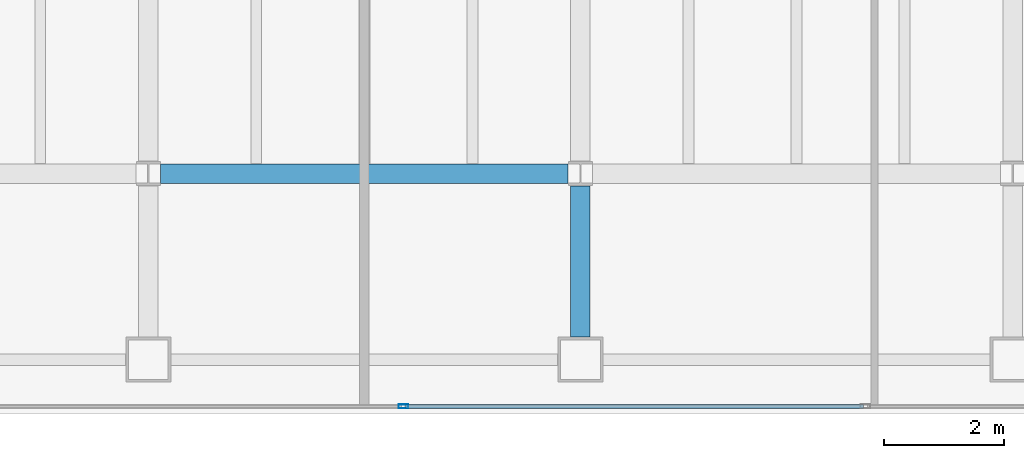
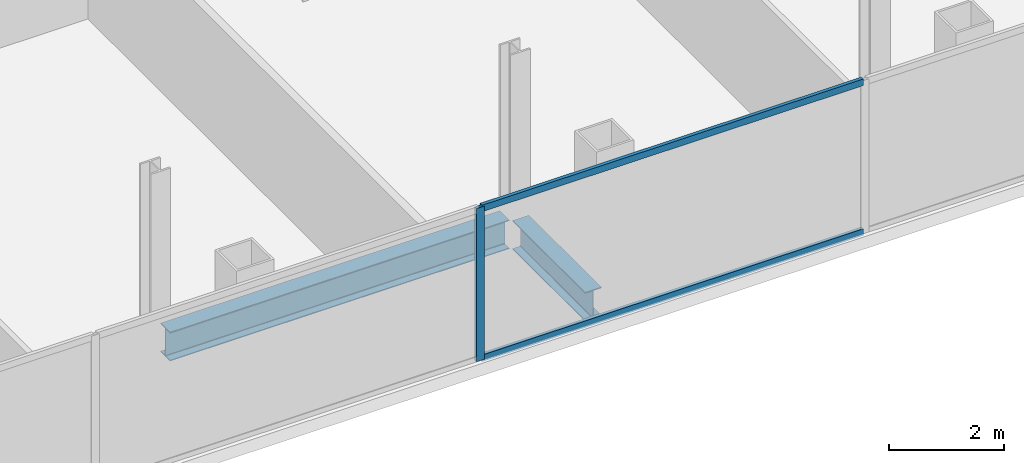
# One storey, part 6 of 23: 3 members, 2 beams, 1 element without a shape of its own.
"""IFC4 building model written with IfcOpenShell, lengths in metres."""

from ifc_helpers import new_model, si_unit, direction, frame, origin, origin_2d, place, context, subcontext, project, spatial, hollow_rectangle, i_section, extrude, material, material_profile, profile_set, type_object, element, aggregate, save


model = new_model("IFC4")

# Units and contexts
model_context = context("Model", 3, precision=1e-05, world=origin(), true_north=direction((0.0, 1.0)))
body_context = subcontext(model_context, "Body", "Model", "MODEL_VIEW")
ifc_project = project(units=[si_unit("LENGTHUNIT", "METRE"), si_unit("AREAUNIT", "SQUARE_METRE"), si_unit("VOLUMEUNIT", "CUBIC_METRE"), si_unit("PLANEANGLEUNIT", "RADIAN"), si_unit("MASSUNIT", "GRAM", prefix="KILO")], contexts=[model_context])

# Site, building, storey
site_placement = place(None, origin())
site = spatial("IfcSite", under=ifc_project, at=site_placement, CompositionType="ELEMENT")
building_placement = place(site_placement, origin())
building = spatial("IfcBuilding", under=site, at=building_placement, Name="Cobrela Telecom Tower", CompositionType="ELEMENT")
storey_placement = place(building_placement, frame((0.0, 0.0, 211.75)))
storey = spatial("IfcBuildingStorey", under=building, at=storey_placement, Name="L54", CompositionType="ELEMENT", Elevation=211.75)

# Beams
ifc_material_1 = material(Name="Steel ASTM A992 Grade 50", Category="steel")
ifc_material_profile_1 = material_profile(ifc_material_1, i_section(OverallWidth=0.324951171875, OverallDepth=0.612060546875, WebThickness=0.0126953125, FlangeThickness=0.01904296875, FilletRadius=0.014892578125, at=origin_2d()), Name="W24X104")
ifc_profile_set_1 = profile_set([ifc_material_profile_1], Name="Steel ASTM A992 Grade 50")
beam_type = type_object("IfcBeamType", Name="BM-GIRD-07", PredefinedType="USERDEFINED", material=ifc_profile_set_1)
beam_1_placement = place(storey_placement, frame((21.804443359375, 7.199951171875, -0.56591796875), z_axis=(1.0, 0.0, 0.0), x_axis=(0.0, 1.0, 0.0)))
element("IfcBeam", 1, at=beam_1_placement, inside=storey, type_object=beam_type, Name="L54 Primary Girder X08", ObjectType="GIRDER", PredefinedType="USERDEFINED", context=body_context, shape_type="SweptSolid", body=[
    extrude(i_section(OverallWidth=0.324951171875, OverallDepth=0.612060546875, WebThickness=0.0126953125, FlangeThickness=0.01904296875, FilletRadius=0.014892578125, at=origin_2d()), origin(), (0.0, 0.0, 1.0), 6.791015625),
])
beam_2_placement = place(storey_placement, frame((28.800048828125, 4.47998046875, -0.56591796875), z_axis=(0.0, 1.0, 0.0), x_axis=(-1.0, 0.0, 0.0)))
element("IfcBeam", 2, at=beam_2_placement, inside=storey, type_object=beam_type, Name="L54 Primary Girder Y36", ObjectType="GIRDER", PredefinedType="USERDEFINED", context=body_context, shape_type="SweptSolid", body=[
    extrude(i_section(OverallWidth=0.324951171875, OverallDepth=0.612060546875, WebThickness=0.0126953125, FlangeThickness=0.01904296875, FilletRadius=0.014892578125, at=origin_2d()), origin(), (0.0, 0.0, 1.0), 2.515625),
])

# Curtain wall, members
ifc_material_2 = material(Name="Anodized Bronze Aluminium 6063-T6", Category="aluminium")
curtain_wall_type = type_object("IfcCurtainWallType", Name="CW-SYS-OFF-LO", PredefinedType="USERDEFINED", material=ifc_material_2)
curtain_wall_placement = place(storey_placement, origin())
curtain_wall = element("IfcCurtainWall", 3, at=curtain_wall_placement, inside=storey, type_object=curtain_wall_type, Name="L54 Unitised Bronze Curtain Wall 17", ObjectType="UNITISED CURTAIN WALL", PredefinedType="USERDEFINED")
ifc_material_profile_2 = material_profile(ifc_material_2, hollow_rectangle(XDim=0.070068359375, YDim=0.159912109375, WallThickness=0.00390625, at=origin_2d()), Name="ALU 70x160x4")
ifc_profile_set_2 = profile_set([ifc_material_profile_2], Name="Anodized Bronze Aluminium 6063-T6")
member_type_1 = type_object("IfcMemberType", Name="CW-SYS-OFF-LO-MUL", PredefinedType="MULLION", material=ifc_profile_set_2)
member_1_placement = place(storey_placement, frame((25.85009765625, 3.320068359375, 0.0), z_axis=(0.0, 0.0, 1.0), x_axis=(0.0, -1.0, 0.0)))
member_1 = element("IfcMember", 4, at=member_1_placement, type_object=member_type_1, Name="CW-OFF-LO mullion 3", PredefinedType="MULLION", context=body_context, shape_type="SweptSolid", body=[
    extrude(hollow_rectangle(XDim=0.070068359375, YDim=0.159912109375, WallThickness=0.00390625, at=origin_2d()), origin(), (0.0, 0.0, 1.0), 3.239990234375),
])
ifc_material_profile_3 = material_profile(ifc_material_2, hollow_rectangle(XDim=0.070068359375, YDim=0.139892578125, WallThickness=0.00390625, at=origin_2d()), Name="ALU 70x140x4")
ifc_profile_set_3 = profile_set([ifc_material_profile_3], Name="Anodized Bronze Aluminium 6063-T6")
member_type_2 = type_object("IfcMemberType", Name="CW-SYS-OFF-LO-TRN", PredefinedType="USERDEFINED", material=ifc_profile_set_3)
member_2_placement = place(storey_placement, frame((33.514892578125, 3.320068359375, 0.034912109375), z_axis=(-1.0, 0.0, 0.0), x_axis=(0.0, -1.0, 0.0)))
member_2 = element("IfcMember", 5, at=member_2_placement, type_object=member_type_2, Name="CW-OFF-LO transom 2.1", ObjectType="TRANSOM", PredefinedType="USERDEFINED", context=body_context, shape_type="SweptSolid", body=[
    extrude(hollow_rectangle(XDim=0.070068359375, YDim=0.139892578125, WallThickness=0.00390625, at=origin_2d()), origin(), (0.0, 0.0, 1.0), 7.6298828125),
])
member_3_placement = place(storey_placement, frame((33.514892578125, 3.320068359375, 3.205078125), z_axis=(-1.0, 0.0, 0.0), x_axis=(0.0, -1.0, 0.0)))
member_3 = element("IfcMember", 6, at=member_3_placement, type_object=member_type_2, Name="CW-OFF-LO transom 2.2", ObjectType="TRANSOM", PredefinedType="USERDEFINED", context=body_context, shape_type="SweptSolid", body=[
    extrude(hollow_rectangle(XDim=0.070068359375, YDim=0.139892578125, WallThickness=0.00390625, at=origin_2d()), origin(), (0.0, 0.0, 1.0), 7.6298828125),
])
aggregate(curtain_wall, [member_1, member_2, member_3])

save(model, "model.ifc")
